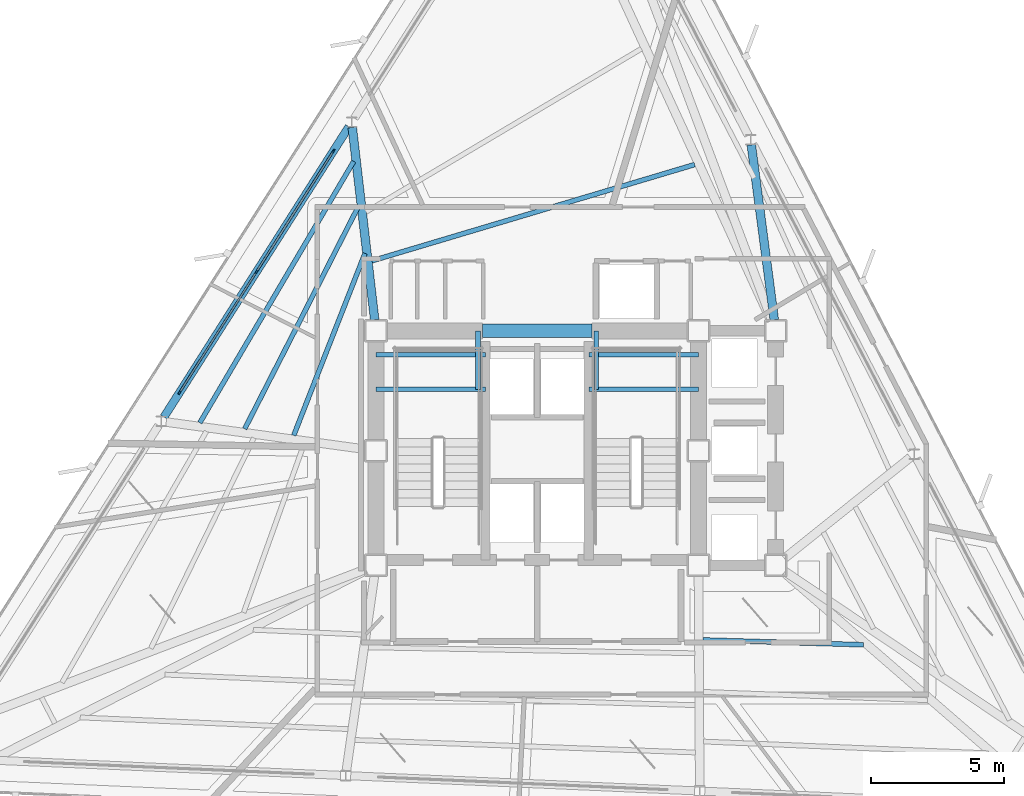
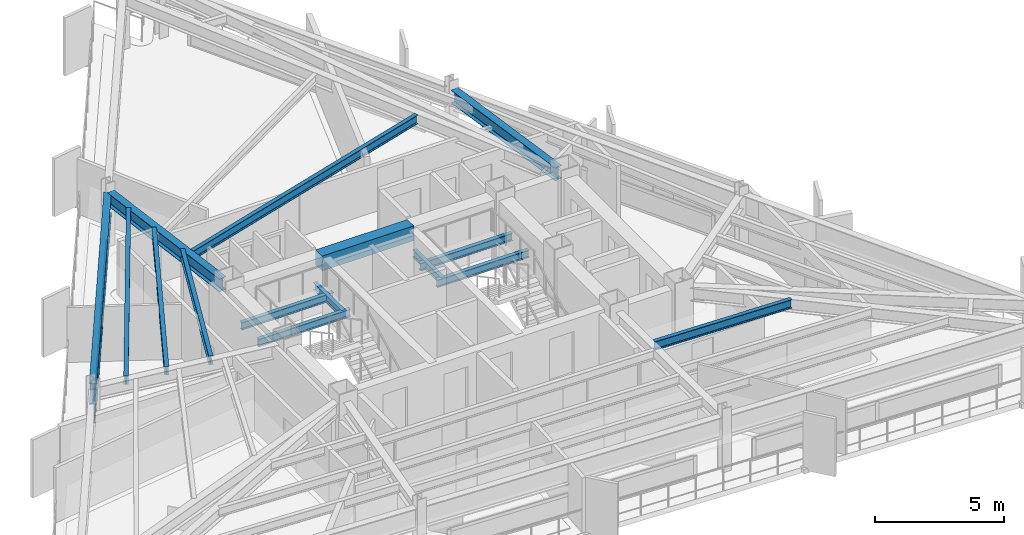
# One storey, part 3 of 12: 15 beams, 7 members, 1 element without a shape of its own.
"""IFC4 building model written with IfcOpenShell, lengths in metres."""

import ifcopenshell
import ifcopenshell.guid

model = None  # the IFC model being written
_history = None  # IfcOwnerHistory: only IFC2X3 demands one
_inside = {}  # id of a spatial element -> (the spatial element, [elements in it])
_under = {}  # id of a project, library or spatial element -> (it, [spatial elements below it])
_declared = {}  # id of a project -> (the project, [libraries it declares])
_typed = {}  # id of a type object -> (the type object, [elements of that type])
_made_of = {}  # id of a material, layer set ... -> (it, [elements and type objects made of it])


def new_model(schema):
    """Start an empty IFC model of exactly this schema.

    Asked for "IFC4X3", IfcOpenShell would pick the latest addendum, in which some entities
    have other attributes; the version numbers below select the first issue.
    IFC2X3 requires an IfcOwnerHistory on every rooted entity: one is made here for all.
    """
    global model, _history
    if schema == "IFC4X3":
        model = ifcopenshell.file(schema_version=(4, 3, 0, 0))
    else:
        model = ifcopenshell.file(schema=schema)
    _inside.clear()
    _under.clear()
    _declared.clear()
    _typed.clear()
    _made_of.clear()
    _history = None
    if model.schema == "IFC2X3":
        org = make("IfcOrganization", Name="unknown")
        user = make(
            "IfcPersonAndOrganization",
            ThePerson=make("IfcPerson", FamilyName="unknown"),
            TheOrganization=org,
        )
        app = make(
            "IfcApplication",
            ApplicationDeveloper=org,
            Version="unknown",
            ApplicationFullName="unknown",
            ApplicationIdentifier="unknown",
        )
        _history = make(
            "IfcOwnerHistory",
            OwningUser=user,
            OwningApplication=app,
            ChangeAction="ADDED",
            CreationDate=0,
        )
    return model


def make(cls, **values):
    """One entity of the class cls with the attributes given. An attribute that is None is left unset."""
    return model.create_entity(
        cls, **{name: value for name, value in values.items() if value is not None}
    )


def rooted(cls, **values):
    """An entity with a GlobalId (a new one), such as an element, a storey or a relation."""
    return make(cls, GlobalId=ifcopenshell.guid.new(), OwnerHistory=_history, **values)


def si_unit(unit_type, name, prefix=None):
    """IfcSIUnit, for example si_unit("LENGTHUNIT", "METRE", prefix="MILLI")."""
    return make("IfcSIUnit", UnitType=unit_type, Prefix=prefix, Name=name)


def assignment(units):
    """IfcUnitAssignment: the units of a project."""
    return None if units is None else make("IfcUnitAssignment", Units=units)


def point(xyz):
    """IfcCartesianPoint."""
    return None if xyz is None else make("IfcCartesianPoint", Coordinates=xyz)


def direction(xyz):
    """IfcDirection."""
    return None if xyz is None else make("IfcDirection", DirectionRatios=xyz)


def frame(location, z_axis=None, x_axis=None):
    """IfcAxis2Placement3D, a coordinate frame: its origin and axes. An axis left out is left unset."""
    return make(
        "IfcAxis2Placement3D",
        Location=point(location),
        Axis=direction(z_axis),
        RefDirection=direction(x_axis),
    )


def frame_2d(location, x_axis=None):
    """IfcAxis2Placement2D, a coordinate frame in the plane: its origin and x axis."""
    return make(
        "IfcAxis2Placement2D", Location=point(location), RefDirection=direction(x_axis)
    )


def origin():
    """The frame at (0, 0, 0) with its axes left unset."""
    return frame((0.0, 0.0, 0.0))


def origin_2d():
    """The frame at (0, 0) in the plane with its x axis left unset."""
    return frame_2d((0.0, 0.0))


def place(relative_to, where):
    """IfcLocalPlacement: puts the frame where relative to a parent placement (None: the world)."""
    return make(
        "IfcLocalPlacement", PlacementRelTo=relative_to, RelativePlacement=where
    )


def context(
    kind, dimensions, precision=None, world=None, true_north=None, identifier=None
):
    """IfcGeometricRepresentationContext, for example the 3D "Model" context."""
    return make(
        "IfcGeometricRepresentationContext",
        ContextIdentifier=identifier,
        ContextType=kind,
        CoordinateSpaceDimension=dimensions,
        Precision=precision,
        WorldCoordinateSystem=world,
        TrueNorth=true_north,
    )


def subcontext(parent, identifier, kind, view, scale=None):
    """IfcGeometricRepresentationSubContext, for example "Body" below "Model"."""
    return make(
        "IfcGeometricRepresentationSubContext",
        ContextIdentifier=identifier,
        ContextType=kind,
        ParentContext=parent,
        TargetScale=scale,
        TargetView=view,
    )


def project(units=None, contexts=None):
    """IfcProject with its units and contexts."""
    return rooted(
        "IfcProject",
        Name="project",
        RepresentationContexts=contexts,
        UnitsInContext=assignment(units),
    )


def spatial(cls, under=None, at=None, **own):
    """A site, building, storey or space (cls), placed at a placement, below another one or the project."""
    s = rooted(cls, ObjectPlacement=at, **own)
    if under is not None:
        _under.setdefault(under.id(), (under, []))[1].append(s)
    return s


def profile(cls, at=None, kind="AREA", **sizes):
    """A parametric profile (cls). Its sizes go by their IFC names, for example OverallWidth=200.0."""
    return make(cls, ProfileType=kind, Position=at, **sizes)


def rectangle(**sizes):
    """IfcRectangleProfileDef."""
    return profile("IfcRectangleProfileDef", **sizes)


def i_section(**sizes):
    """IfcIShapeProfileDef."""
    return profile("IfcIShapeProfileDef", **sizes)


def extrude(swept, where, along, depth):
    """IfcExtrudedAreaSolid: the profile swept, set in the frame where, extruded along a direction by depth."""
    return make(
        "IfcExtrudedAreaSolid",
        SweptArea=swept,
        Position=where,
        ExtrudedDirection=direction(along),
        Depth=depth,
    )


def shape(context_of_items, identifier, shape_type, items):
    """IfcShapeRepresentation: the items that make up one representation, for example the "Body"."""
    return make(
        "IfcShapeRepresentation",
        ContextOfItems=context_of_items,
        RepresentationIdentifier=identifier,
        RepresentationType=shape_type,
        Items=items,
    )


def material(Name=None, Category=None):
    """IfcMaterial."""
    return make("IfcMaterial", Name=Name, Category=Category)


def layer(
    of_material, thickness, ventilated=None, Name=None, Category=None, Priority=None
):
    """IfcMaterialLayer: one layer of a wall or slab, of a material (None: an air gap)."""
    return make(
        "IfcMaterialLayer",
        Material=of_material,
        LayerThickness=thickness,
        IsVentilated=ventilated,
        Name=Name,
        Category=Category,
        Priority=Priority,
    )


def layer_set(layers, Name=None):
    """IfcMaterialLayerSet."""
    return make("IfcMaterialLayerSet", MaterialLayers=layers, LayerSetName=Name)


def material_profile(
    of_material, cross_section, Name=None, Category=None, Priority=None
):
    """IfcMaterialProfile: a cross section and its material."""
    return make(
        "IfcMaterialProfile",
        Name=Name,
        Material=of_material,
        Profile=cross_section,
        Priority=Priority,
        Category=Category,
    )


def profile_set(profiles, Name=None, composite=None):
    """IfcMaterialProfileSet."""
    return make(
        "IfcMaterialProfileSet",
        Name=Name,
        MaterialProfiles=profiles,
        CompositeProfile=composite,
    )


def made_of(thing, what):
    """Note that an element or type object is made of a material, layer set ...; save() writes the relation."""
    if what is not None:
        _made_of.setdefault(what.id(), (what, []))[1].append(thing)
    return thing


def type_object(cls, material=None, **own):
    """A type object (cls), such as IfcWallType, which elements share."""
    return made_of(rooted(cls, **own), material)


def element(
    cls,
    number,
    at=None,
    inside=None,
    cuts=None,
    type_object=None,
    material=None,
    context=None,
    identifier="Body",
    shape_type=None,
    held_by="IfcProductDefinitionShape",
    body=None,
    shapes=None,
    **own,
):
    """One element of the class cls, such as IfcWall. Its Tag is "e" and its number.

    at: its placement. inside: the storey or other place that contains it. cuts: it is an
    opening in that element (IfcRelVoidsElement). A single representation is given by context,
    identifier, shape_type and body (its items); several are given by shapes. held_by: the class
    of the entity that holds the representations. save() writes the other relations.
    """
    e = rooted(cls, Tag="e%d" % number, ObjectPlacement=at, **own)
    if body is not None:
        shapes = [shape(context, identifier, shape_type, body)]
    if shapes is not None:
        e.Representation = make(held_by, Representations=shapes)
    if inside is not None:
        _inside.setdefault(inside.id(), (inside, []))[1].append(e)
    if cuts is not None:
        rooted(
            "IfcRelVoidsElement", RelatingBuildingElement=cuts, RelatedOpeningElement=e
        )
    if type_object is not None:
        _typed.setdefault(type_object.id(), (type_object, []))[1].append(e)
    return made_of(e, material)


def aggregate(whole, parts):
    """IfcRelAggregates: a whole, such as a stair, and the parts it consists of."""
    return rooted("IfcRelAggregates", RelatingObject=whole, RelatedObjects=parts)


def save(model, path):
    """Write the relations noted so far, then the file.

    IfcRelAggregates (storeys below a building ...), IfcRelContainedInSpatialStructure (elements
    in a storey), IfcRelDefinesByType, IfcRelAssociatesMaterial and IfcRelDeclares: one each for
    every whole, place, type object, material and project.
    """
    for whole, parts in _under.values():
        aggregate(whole, parts)
    for where, things in _inside.values():
        rooted(
            "IfcRelContainedInSpatialStructure",
            RelatedElements=things,
            RelatingStructure=where,
        )
    for kind, things in _typed.values():
        rooted("IfcRelDefinesByType", RelatedObjects=things, RelatingType=kind)
    for what, things in _made_of.values():
        rooted("IfcRelAssociatesMaterial", RelatedObjects=things, RelatingMaterial=what)
    for by, libraries in _declared.values():
        rooted("IfcRelDeclares", RelatingContext=by, RelatedDefinitions=libraries)
    model.write(path)


model = new_model("IFC4")

# Units and contexts
model_context = context("Model", 3, precision=1e-05, world=origin(), true_north=direction((0.0, 1.0)))
body_context = subcontext(model_context, "Body", "Model", "MODEL_VIEW")
ifc_project = project(units=[si_unit("LENGTHUNIT", "METRE"), si_unit("AREAUNIT", "SQUARE_METRE"), si_unit("VOLUMEUNIT", "CUBIC_METRE"), si_unit("PLANEANGLEUNIT", "RADIAN"), si_unit("MASSUNIT", "GRAM", prefix="KILO")], contexts=[model_context])

# Site, building, storey
site_placement = place(None, origin())
site = spatial("IfcSite", under=ifc_project, at=site_placement, CompositionType="ELEMENT")
building_placement = place(site_placement, origin())
building = spatial("IfcBuilding", under=site, at=building_placement, Name="Rocaltana Carrier Exchange", CompositionType="ELEMENT")
storey_placement = place(building_placement, frame((0.0, 0.0, 144.159912109375)))
storey = spatial("IfcBuildingStorey", under=building, at=storey_placement, Name="L45", CompositionType="ELEMENT", Elevation=144.159912109375)

# Curtain wall, members
ifc_material_1 = material(Name="Aluminium 6063-T6", Category="aluminium")
ifc_layer = layer(ifc_material_1, 0.14990234375)
ifc_layer_set = layer_set([ifc_layer], Name="Aluminium 6063-T6")
curtain_wall_type = type_object("IfcCurtainWallType", Name="Mid-Tower Unitised Curtain Wall CW-03", PredefinedType="NOTDEFINED", material=ifc_layer_set)
curtain_wall_placement = place(storey_placement, origin())
curtain_wall = element("IfcCurtainWall", 1, at=curtain_wall_placement, inside=storey, type_object=curtain_wall_type, Name="L45 CW-03 Run CW-L45-F2S2", PredefinedType="NOTDEFINED")
ifc_material_2 = material(Name="Aluminium 6063-T6", Category="aluminium")
ifc_material_profile_1 = material_profile(ifc_material_2, rectangle(XDim=0.06005859375, YDim=0.14990234375, at=origin_2d()), Name="AL-60X150")
ifc_profile_set_1 = profile_set([ifc_material_profile_1], Name="Aluminium 6063-T6")
member_type_1 = type_object("IfcMemberType", Name="CW-03 Mullion AL-60X150", PredefinedType="MULLION", material=ifc_profile_set_1)
member_1_placement = place(storey_placement, frame((-7.6494140625, 11.240478515625, 0.0), z_axis=(0.0, 0.0, 1.0), x_axis=(0.843390685726, -0.537300801443, 0.0)))
member_1 = element("IfcMember", 2, at=member_1_placement, type_object=member_type_1, Name="CW-03 mullion 1", PredefinedType="MULLION", context=body_context, shape_type="SweptSolid", body=[
    extrude(rectangle(XDim=0.06005859375, YDim=0.14990234375, at=origin_2d()), origin(), (0.0, 0.0, 1.0), 1.078125),
])
member_2_placement = place(storey_placement, frame((-10.53466796875, 6.71142578125, 0.0), z_axis=(0.0, 0.0, 1.0), x_axis=(0.843390685726, -0.537300801443, 0.0)))
member_2 = element("IfcMember", 3, at=member_2_placement, type_object=member_type_1, Name="CW-03 mullion 2", PredefinedType="MULLION", context=body_context, shape_type="SweptSolid", body=[
    extrude(rectangle(XDim=0.06005859375, YDim=0.14990234375, at=origin_2d()), origin(), (0.0, 0.0, 1.0), 1.078125),
])
member_3_placement = place(storey_placement, frame((-13.420166015625, 2.182373046875, 0.0), z_axis=(0.0, 0.0, 1.0), x_axis=(0.843390685726, -0.537300801443, 0.0)))
member_3 = element("IfcMember", 4, at=member_3_placement, type_object=member_type_1, Name="CW-03 mullion 3", PredefinedType="MULLION", context=body_context, shape_type="SweptSolid", body=[
    extrude(rectangle(XDim=0.06005859375, YDim=0.14990234375, at=origin_2d()), origin(), (0.0, 0.0, 1.0), 1.078125),
])
ifc_material_3 = material(Name="Aluminium 6063-T6", Category="aluminium")
ifc_material_profile_2 = material_profile(ifc_material_3, rectangle(XDim=0.06005859375, YDim=0.14990234375, at=origin_2d()), Name="AL-60X150")
ifc_profile_set_2 = profile_set([ifc_material_profile_2], Name="Aluminium 6063-T6")
member_type_2 = type_object("IfcMemberType", Name="CW-03 Transom AL-60X150", PredefinedType="USERDEFINED", material=ifc_profile_set_2)
member_4_placement = place(storey_placement, frame((-7.66552734375, 11.215087890625, 0.030029296875), z_axis=(-0.537285975238, -0.843400130906, 0.0), x_axis=(0.843400130906, -0.537285975238, 0.0)))
member_4 = element("IfcMember", 5, at=member_4_placement, type_object=member_type_2, Name="CW-03 transom 1.1", ObjectType="TRANSOM", PredefinedType="USERDEFINED", context=body_context, shape_type="SweptSolid", body=[
    extrude(rectangle(XDim=0.06005859375, YDim=0.14990234375, at=origin_2d()), origin(), (0.0, 0.0, 1.0), 5.31005859375),
])
member_5_placement = place(storey_placement, frame((-7.66552734375, 11.215087890625, 1.048095703125), z_axis=(-0.537285975238, -0.843400130906, 0.0), x_axis=(0.843400130906, -0.537285975238, 0.0)))
member_5 = element("IfcMember", 6, at=member_5_placement, type_object=member_type_2, Name="CW-03 transom 1.2", ObjectType="TRANSOM", PredefinedType="USERDEFINED", context=body_context, shape_type="SweptSolid", body=[
    extrude(rectangle(XDim=0.06005859375, YDim=0.14990234375, at=origin_2d()), origin(), (0.0, 0.0, 1.0), 5.31005859375),
])
member_6_placement = place(storey_placement, frame((-10.55078125, 6.68603515625, 0.030029296875), z_axis=(-0.537318678484, -0.843379296493, 0.0), x_axis=(0.843379296493, -0.537318678484, 0.0)))
member_6 = element("IfcMember", 7, at=member_6_placement, type_object=member_type_2, Name="CW-03 transom 2.1", ObjectType="TRANSOM", PredefinedType="USERDEFINED", context=body_context, shape_type="SweptSolid", body=[
    extrude(rectangle(XDim=0.06005859375, YDim=0.14990234375, at=origin_2d()), origin(), (0.0, 0.0, 1.0), 5.310302734375),
])
member_7_placement = place(storey_placement, frame((-10.55078125, 6.68603515625, 1.048095703125), z_axis=(-0.537318678484, -0.843379296493, 0.0), x_axis=(0.843379296493, -0.537318678484, 0.0)))
member_7 = element("IfcMember", 8, at=member_7_placement, type_object=member_type_2, Name="CW-03 transom 2.2", ObjectType="TRANSOM", PredefinedType="USERDEFINED", context=body_context, shape_type="SweptSolid", body=[
    extrude(rectangle(XDim=0.06005859375, YDim=0.14990234375, at=origin_2d()), origin(), (0.0, 0.0, 1.0), 5.310302734375),
])
aggregate(curtain_wall, [member_1, member_2, member_3, member_4, member_5, member_6, member_7])

# Beams
ifc_material_4 = material(Name="Concrete C60/75", Category="concrete")
ifc_material_profile_3 = material_profile(ifc_material_4, rectangle(XDim=0.5, YDim=0.699951171875, at=origin_2d()), Name="RC-BM-500X700")
ifc_profile_set_3 = profile_set([ifc_material_profile_3], Name="Concrete C60/75")
beam_type_1 = type_object("IfcBeamType", Name="Core Coupling Lintel 500x700", PredefinedType="LINTEL", material=ifc_profile_set_3)
beam_1_placement = place(storey_placement, frame((-2.050048828125, 4.5, 2.26806640625), z_axis=(1.0, 0.0, 0.0), x_axis=(0.0, 1.0, 0.0)))
element("IfcBeam", 9, at=beam_1_placement, inside=storey, type_object=beam_type_1, Name="L45 Core Coupling Lintel CL-N", PredefinedType="LINTEL", context=body_context, shape_type="SweptSolid", body=[
    extrude(rectangle(XDim=0.5, YDim=0.699951171875, at=origin_2d()), origin(), (0.0, 0.0, 1.0), 4.10009765625),
])
ifc_material_5 = material(Name="Steel S355", Category="steel")
ifc_material_profile_4 = material_profile(ifc_material_5, i_section(OverallWidth=0.172119140625, OverallDepth=0.35791015625, WebThickness=0.0078125, FlangeThickness=0.01318359375, FilletRadius=0.011962890625, at=origin_2d()), Name="W14X38")
ifc_profile_set_4 = profile_set([ifc_material_profile_4], Name="Steel S355")
beam_type_2 = type_object("IfcBeamType", Name="Floor Joist W14X38", PredefinedType="JOIST", material=ifc_profile_set_4)
for number, where, z_axis, x_axis, name in (
    (10, (-6.050048828125, 2.300048828125, 1.14111328125), (1.0, 0.0, 0.0), (0.0, 1.0, 0.0), "L45 ST-1 Landing Carrier 1"),
    (11, (1.93994140625, 2.300048828125, 1.14111328125), (1.0, 0.0, 0.0), (0.0, 1.0, 0.0), "L45 ST-2 Landing Carrier 1"),
    (12, (-6.050048828125, 3.60009765625, 1.14111328125), (1.0, 0.0, 0.0), (0.0, 1.0, 0.0), "L45 ST-1 Landing Carrier 2"),
    (13, (1.93994140625, 3.60009765625, 1.14111328125), (1.0, 0.0, 0.0), (0.0, 1.0, 0.0), "L45 ST-2 Landing Carrier 2"),
):
    element("IfcBeam", number, at=place(storey_placement, frame(where, z_axis=z_axis, x_axis=x_axis)), inside=storey, type_object=beam_type_2, Name=name, PredefinedType="JOIST", context=body_context, shape_type="SweptSolid", body=[
        extrude(i_section(OverallWidth=0.172119140625, OverallDepth=0.35791015625, WebThickness=0.0078125, FlangeThickness=0.01318359375, FilletRadius=0.011962890625, at=origin_2d()), origin(), (0.0, 0.0, 1.0), 4.110107421875),
    ])
for number, where, z_axis, x_axis, name in (
    (14, (-2.219970703125, 2.300048828125, 1.14111328125), (0.0, 1.0, 0.0), (-1.0, 0.0, 0.0), "L45 ST-1 Landing Cross Trimmer"),
    (15, (2.219970703125, 2.300048828125, 1.14111328125), (0.0, 1.0, 0.0), (-1.0, 0.0, 0.0), "L45 ST-2 Landing Cross Trimmer"),
):
    element("IfcBeam", number, at=place(storey_placement, frame(where, z_axis=z_axis, x_axis=x_axis)), inside=storey, type_object=beam_type_2, Name=name, PredefinedType="JOIST", context=body_context, shape_type="SweptSolid", body=[
        extrude(i_section(OverallWidth=0.172119140625, OverallDepth=0.35791015625, WebThickness=0.0078125, FlangeThickness=0.01318359375, FilletRadius=0.011962890625, at=origin_2d()), origin(), (0.0, 0.0, 1.0), 2.199951171875),
    ])
ifc_material_6 = material(Name="Steel S355", Category="steel")
ifc_material_profile_5 = material_profile(ifc_material_6, i_section(OverallWidth=0.179931640625, OverallDepth=0.4130859375, WebThickness=0.009765625, FlangeThickness=0.01611328125, FilletRadius=0.012939453125, at=origin_2d()), Name="W16X50")
ifc_profile_set_5 = profile_set([ifc_material_profile_5], Name="Steel S355")
beam_type_3 = type_object("IfcBeamType", Name="Floor Joist W16X50", PredefinedType="JOIST", material=ifc_profile_set_5)
beam_2_placement = place(storey_placement, frame((5.907958984375, 10.737548828125, 2.41162109375), z_axis=(-0.958271792159, -0.285858658, 0.0), x_axis=(0.285858658, -0.958271792159, 0.0)))
element("IfcBeam", 16, at=beam_2_placement, inside=storey, type_object=beam_type_3, Name="FJ-L45-05-1", PredefinedType="JOIST", context=body_context, shape_type="SweptSolid", body=[
    extrude(i_section(OverallWidth=0.179931640625, OverallDepth=0.4130859375, WebThickness=0.009765625, FlangeThickness=0.01611328125, FilletRadius=0.012939453125, at=origin_2d()), origin(), (0.0, 0.0, 1.0), 12.63671875),
])
beam_3_placement = place(storey_placement, frame((-6.46240234375, 7.404541015625, 2.41162109375), z_axis=(-0.364527375861, -0.931192671926, 0.0), x_axis=(0.931192671926, -0.364527375861, 0.0)))
element("IfcBeam", 17, at=beam_3_placement, inside=storey, type_object=beam_type_3, Name="FJ-L45-06-1", PredefinedType="JOIST", context=body_context, shape_type="SweptSolid", body=[
    extrude(i_section(OverallWidth=0.179931640625, OverallDepth=0.4130859375, WebThickness=0.009765625, FlangeThickness=0.01611328125, FilletRadius=0.012939453125, at=origin_2d()), origin(), (0.0, 0.0, 1.0), 7.333740234375),
])
beam_4_placement = place(storey_placement, frame((-6.686279296875, 9.20947265625, 2.41162109375), z_axis=(-0.455271338629, -0.890352743705, 0.0), x_axis=(0.890352743705, -0.455271338629, 0.0)))
element("IfcBeam", 18, at=beam_4_placement, inside=storey, type_object=beam_type_3, Name="FJ-L45-06-2", PredefinedType="JOIST", context=body_context, shape_type="SweptSolid", body=[
    extrude(i_section(OverallWidth=0.179931640625, OverallDepth=0.4130859375, WebThickness=0.009765625, FlangeThickness=0.01611328125, FilletRadius=0.012939453125, at=origin_2d()), origin(), (0.0, 0.0, 1.0), 9.419921875),
])
beam_5_placement = place(storey_placement, frame((-6.885986328125, 10.856201171875, 2.41162109375), z_axis=(-0.507296695283, -0.86177146794, 0.0), x_axis=(0.86177146794, -0.507296695283, 0.0)))
element("IfcBeam", 19, at=beam_5_placement, inside=storey, type_object=beam_type_3, Name="FJ-L45-06-3", PredefinedType="JOIST", context=body_context, shape_type="SweptSolid", body=[
    extrude(i_section(OverallWidth=0.179931640625, OverallDepth=0.4130859375, WebThickness=0.009765625, FlangeThickness=0.01611328125, FilletRadius=0.012939453125, at=origin_2d()), origin(), (0.0, 0.0, 1.0), 11.37939453125),
])
beam_6_placement = place(storey_placement, frame((6.221923828125, -7.099609375, 2.41162109375), z_axis=(0.999543297857, -0.030219128192, 0.0), x_axis=(0.030219128192, 0.999543297857, 0.0)))
element("IfcBeam", 20, at=beam_6_placement, inside=storey, type_object=beam_type_3, Name="FJ-L45-11-1", PredefinedType="JOIST", context=body_context, shape_type="SweptSolid", body=[
    extrude(i_section(OverallWidth=0.179931640625, OverallDepth=0.4130859375, WebThickness=0.009765625, FlangeThickness=0.01611328125, FilletRadius=0.012939453125, at=origin_2d()), origin(), (0.0, 0.0, 1.0), 6.018798828125),
])
ifc_material_7 = material(Name="Steel S355", Category="steel")
ifc_material_profile_6 = material_profile(ifc_material_7, i_section(OverallWidth=0.323974609375, OverallDepth=0.611083984375, WebThickness=0.0126953125, FlangeThickness=0.01904296875, FilletRadius=0.01611328125, at=origin_2d()), Name="W24X104")
ifc_profile_set_6 = profile_set([ifc_material_profile_6], Name="Steel S355")
beam_type_4 = type_object("IfcBeamType", Name="Radial Girder W24X104", PredefinedType="BEAM", material=ifc_profile_set_6)
beam_7_placement = place(storey_placement, frame((8.895751953125, 4.91357421875, 2.3125), z_axis=(-0.130201666158, 0.991487532009, 0.0), x_axis=(-0.991487532009, -0.130201666158, 0.0)))
element("IfcBeam", 21, at=beam_7_placement, inside=storey, type_object=beam_type_4, Name="RG-L45-03", PredefinedType="BEAM", context=body_context, shape_type="SweptSolid", body=[
    extrude(i_section(OverallWidth=0.323974609375, OverallDepth=0.611083984375, WebThickness=0.0126953125, FlangeThickness=0.01904296875, FilletRadius=0.01611328125, at=origin_2d()), origin(), (0.0, 0.0, 1.0), 6.619140625),
])
beam_8_placement = place(storey_placement, frame((-6.098388671875, 4.914306640625, 2.3125), z_axis=(-0.115782331759, 0.993274610394, 0.0), x_axis=(-0.993274610394, -0.115782331759, 0.0)))
element("IfcBeam", 22, at=beam_8_placement, inside=storey, type_object=beam_type_4, Name="RG-L45-06", PredefinedType="BEAM", context=body_context, shape_type="SweptSolid", body=[
    extrude(i_section(OverallWidth=0.323974609375, OverallDepth=0.611083984375, WebThickness=0.0126953125, FlangeThickness=0.01904296875, FilletRadius=0.01611328125, at=origin_2d()), origin(), (0.0, 0.0, 1.0), 7.26416015625),
])
ifc_material_8 = material(Name="Steel S460", Category="steel")
ifc_material_profile_7 = material_profile(ifc_material_8, i_section(OverallWidth=0.302001953125, OverallDepth=1.008056640625, WebThickness=0.02099609375, FlangeThickness=0.0400390625, FilletRadius=0.030029296875, at=origin_2d()), Name="HEM1000")
ifc_profile_set_7 = profile_set([ifc_material_profile_7], Name="Steel S460")
beam_type_5 = type_object("IfcBeamType", Name="Transfer Ring Girder HEM1000", PredefinedType="USERDEFINED", material=ifc_profile_set_7)
beam_9_placement = place(storey_placement, frame((-7.064697265625, 12.158447265625, 2.114013671875), z_axis=(-0.537294913868, -0.843394436508, 0.0), x_axis=(0.843394436508, -0.537294913868, 0.0)))
element("IfcBeam", 23, at=beam_9_placement, inside=storey, type_object=beam_type_5, Name="SP-L45-06", ObjectType="TRANSFER GIRDER", PredefinedType="USERDEFINED", context=body_context, shape_type="SweptSolid", body=[
    extrude(i_section(OverallWidth=0.302001953125, OverallDepth=1.008056640625, WebThickness=0.02099609375, FlangeThickness=0.0400390625, FilletRadius=0.030029296875, at=origin_2d()), origin(), (0.0, 0.0, 1.0), 12.9169921875),
])

save(model, "model.ifc")
